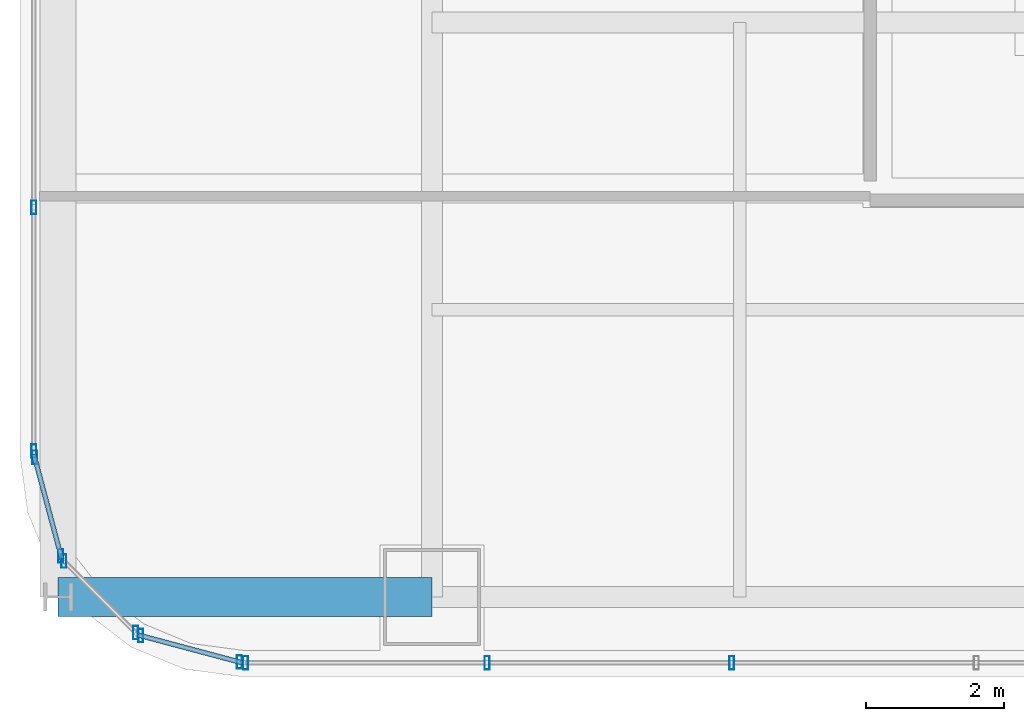
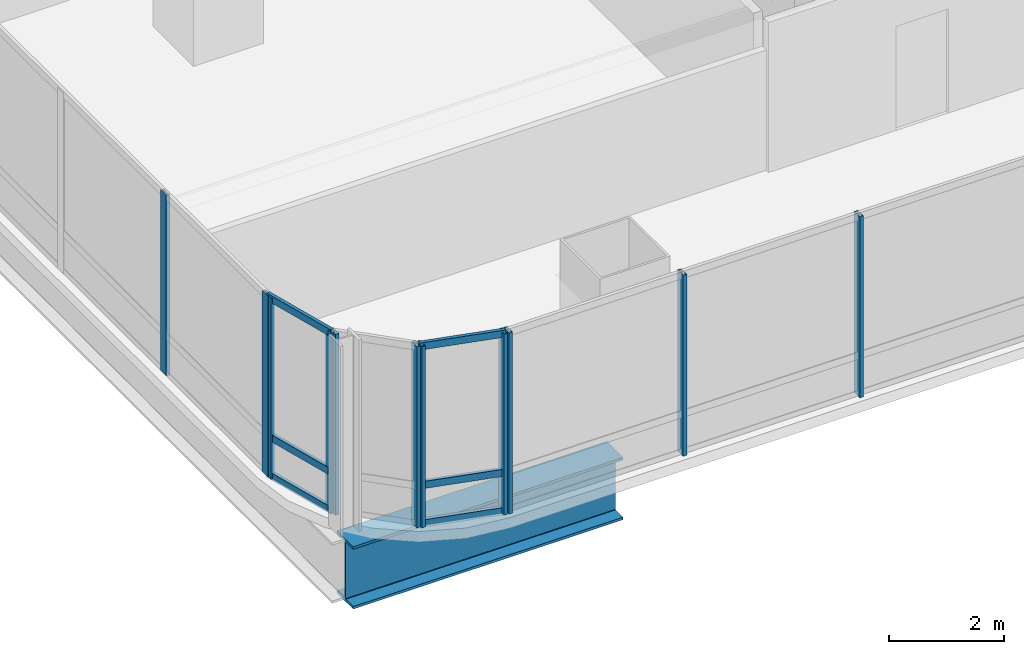
# One storey, part 2 of 37: 17 members, 1 beam, 5 elements without a shape of their own.
"""IFC4 building model written with IfcOpenShell, lengths in metres."""

from ifc_helpers import new_model, si_unit, direction, frame, origin, origin_2d, place, context, subcontext, project, spatial, hollow_rectangle, i_section, extrude, material, material_profile, profile_set, type_object, element, aggregate, save


model = new_model("IFC4")

# Units and contexts
model_context = context("Model", 3, precision=1e-05, world=origin(), true_north=direction((0.0, 1.0)))
body_context = subcontext(model_context, "Body", "Model", "MODEL_VIEW")
ifc_project = project(units=[si_unit("LENGTHUNIT", "METRE"), si_unit("AREAUNIT", "SQUARE_METRE"), si_unit("VOLUMEUNIT", "CUBIC_METRE"), si_unit("PLANEANGLEUNIT", "RADIAN"), si_unit("MASSUNIT", "GRAM", prefix="KILO")], contexts=[model_context])

# Site, building, storey
site_placement = place(None, origin())
site = spatial("IfcSite", under=ifc_project, at=site_placement, CompositionType="ELEMENT")
building_placement = place(site_placement, origin())
building = spatial("IfcBuilding", under=site, at=building_placement, Name="Punatoya Terracotta Tower", CompositionType="ELEMENT")
storey_placement = place(building_placement, frame((0.0, 0.0, 164.10009765625)))
storey = spatial("IfcBuildingStorey", under=building, at=storey_placement, Name="L38", CompositionType="ELEMENT", Elevation=164.10009765625)

# Beam
ifc_material_1 = material(Name="Steel S460", Category="steel")
ifc_material_profile_1 = material_profile(ifc_material_1, i_section(OverallWidth=0.56005859375, OverallDepth=1.320068359375, WebThickness=0.035888671875, FlangeThickness=0.054931640625, FilletRadius=0.01806640625, at=origin_2d()))
ifc_profile_set_1 = profile_set([ifc_material_profile_1], Name="Steel S460")
beam_type = type_object("IfcBeamType", Name="BM-TG-BLK", PredefinedType="BEAM", material=ifc_profile_set_1)
beam_placement = place(storey_placement, frame((-24.5, -17.5, -0.880126953125), z_axis=(1.0, 0.0, 0.0), x_axis=(0.0, 1.0, 0.0)))
element("IfcBeam", 1, at=beam_placement, inside=storey, type_object=beam_type, Name="BM-L38-CANT-W1", PredefinedType="BEAM", context=body_context, shape_type="SweptSolid", body=[
    extrude(i_section(OverallWidth=0.56005859375, OverallDepth=1.320068359375, WebThickness=0.035888671875, FlangeThickness=0.054931640625, FilletRadius=0.01806640625, at=origin_2d()), origin(), (0.0, 0.0, 1.0), 5.39990234375),
])

# Curtain wall, members
ifc_material_2 = material(Name="Aluminium 6063-T6 + Double Low-E Glass", Category="aluminium")
curtain_wall_type = type_object("IfcCurtainWallType", Name="CW-M2", PredefinedType="NOTDEFINED", material=ifc_material_2)
curtain_wall_1_placement = place(storey_placement, origin())
curtain_wall_1 = element("IfcCurtainWall", 2, at=curtain_wall_1_placement, inside=storey, type_object=curtain_wall_type, Name="L38 Curtain Wall CW-L38-S01-1", PredefinedType="NOTDEFINED")
ifc_material_3 = material(Name="Aluminium 6063-T6", Category="aluminium")
ifc_material_profile_2 = material_profile(ifc_material_3, hollow_rectangle(XDim=0.072021484375, YDim=0.195068359375, WallThickness=0.00439453125, at=origin_2d()))
ifc_profile_set_2 = profile_set([ifc_material_profile_2], Name="Aluminium 6063-T6")
member_type_1 = type_object("IfcMemberType", Name="CW-MUL-M2", PredefinedType="MULLION", material=ifc_profile_set_2)
member_1_placement = place(storey_placement, frame((-21.7919921875, -18.449951171875, 0.0), z_axis=(0.0, 0.0, 1.0), x_axis=(1.0, 0.0, 0.0)))
member_1 = element("IfcMember", 3, at=member_1_placement, type_object=member_type_1, Name="CW-L38-S01-1 Mullion 00", PredefinedType="MULLION", context=body_context, shape_type="SweptSolid", body=[
    extrude(hollow_rectangle(XDim=0.072021484375, YDim=0.195068359375, WallThickness=0.00439453125, at=origin_2d()), origin(), (0.0, 0.0, 1.0), 3.829833984375),
])
member_2_placement = place(storey_placement, frame((-18.302978515625, -18.449951171875, 0.0), z_axis=(0.0, 0.0, 1.0), x_axis=(1.0, 0.0, 0.0)))
member_2 = element("IfcMember", 4, at=member_2_placement, type_object=member_type_1, Name="CW-L38-S01-1 Mullion 01", PredefinedType="MULLION", context=body_context, shape_type="SweptSolid", body=[
    extrude(hollow_rectangle(XDim=0.072021484375, YDim=0.195068359375, WallThickness=0.00439453125, at=origin_2d()), origin(), (0.0, 0.0, 1.0), 3.829833984375),
])
member_3_placement = place(storey_placement, frame((-14.768798828125, -18.449951171875, 0.0), z_axis=(0.0, 0.0, 1.0), x_axis=(1.0, 0.0, 0.0)))
member_3 = element("IfcMember", 5, at=member_3_placement, type_object=member_type_1, Name="CW-L38-S01-1 Mullion 02", PredefinedType="MULLION", context=body_context, shape_type="SweptSolid", body=[
    extrude(hollow_rectangle(XDim=0.072021484375, YDim=0.195068359375, WallThickness=0.00439453125, at=origin_2d()), origin(), (0.0, 0.0, 1.0), 3.829833984375),
])
aggregate(curtain_wall_1, [member_1, member_2, member_3])

curtain_wall_2_placement = place(storey_placement, origin())
curtain_wall_2 = element("IfcCurtainWall", 6, at=curtain_wall_2_placement, inside=storey, type_object=curtain_wall_type, Name="L38 Curtain Wall CW-L38-W13-1", PredefinedType="NOTDEFINED")
member_4_placement = place(storey_placement, frame((-24.85009765625, -11.869384765625, 0.0), z_axis=(0.0, 0.0, 1.0), x_axis=(1.0, 0.0, 0.0)))
member_4 = element("IfcMember", 7, at=member_4_placement, type_object=member_type_1, Name="CW-L38-W13-1 Mullion 09", PredefinedType="MULLION", context=body_context, shape_type="SweptSolid", body=[
    extrude(hollow_rectangle(XDim=0.072021484375, YDim=0.195068359375, WallThickness=0.00439453125, at=origin_2d()), origin(), (0.0, 0.0, 1.0), 3.829833984375),
])
member_5_placement = place(storey_placement, frame((-24.85009765625, -15.391845703125, 0.0), z_axis=(0.0, 0.0, 1.0), x_axis=(1.0, 0.0, 0.0)))
member_5 = element("IfcMember", 8, at=member_5_placement, type_object=member_type_1, Name="CW-L38-W13-1 Mullion 10", PredefinedType="MULLION", context=body_context, shape_type="SweptSolid", body=[
    extrude(hollow_rectangle(XDim=0.072021484375, YDim=0.195068359375, WallThickness=0.00439453125, at=origin_2d()), origin(), (0.0, 0.0, 1.0), 3.829833984375),
])
aggregate(curtain_wall_2, [member_4, member_5])

curtain_wall_3_placement = place(storey_placement, origin())
curtain_wall_3 = element("IfcCurtainWall", 9, at=curtain_wall_3_placement, inside=storey, type_object=curtain_wall_type, Name="L38 Curtain Wall CW-L38-CRN14", PredefinedType="NOTDEFINED")
member_6_placement = place(storey_placement, frame((-24.83837890625, -15.48046875, 0.0), z_axis=(0.0, 0.0, 1.0), x_axis=(1.0, 0.0, 0.0)))
member_6 = element("IfcMember", 10, at=member_6_placement, type_object=member_type_1, Name="CW-L38-CRN14 Mullion 00", PredefinedType="MULLION", context=body_context, shape_type="SweptSolid", body=[
    extrude(hollow_rectangle(XDim=0.072021484375, YDim=0.195068359375, WallThickness=0.00439453125, at=origin_2d()), origin(), (0.0, 0.0, 1.0), 3.829833984375),
])
member_7_placement = place(storey_placement, frame((-24.458251953125, -16.905517578125, 0.0), z_axis=(0.0, 0.0, 1.0), x_axis=(1.0, 0.0, 0.0)))
member_7 = element("IfcMember", 11, at=member_7_placement, type_object=member_type_1, Name="CW-L38-CRN14 Mullion 01", PredefinedType="MULLION", context=body_context, shape_type="SweptSolid", body=[
    extrude(hollow_rectangle(XDim=0.072021484375, YDim=0.195068359375, WallThickness=0.00439453125, at=origin_2d()), origin(), (0.0, 0.0, 1.0), 3.829833984375),
])

curtain_wall_4_placement = place(storey_placement, origin())
curtain_wall_4 = element("IfcCurtainWall", 12, at=curtain_wall_4_placement, inside=storey, type_object=curtain_wall_type, Name="L38 Curtain Wall CW-L38-CRN15", PredefinedType="NOTDEFINED")
member_8_placement = place(storey_placement, frame((-24.414794921875, -16.98095703125, 0.0), z_axis=(0.0, 0.0, 1.0), x_axis=(1.0, 0.0, 0.0)))
member_8 = element("IfcMember", 13, at=member_8_placement, type_object=member_type_1, Name="CW-L38-CRN15 Mullion 00", PredefinedType="MULLION", context=body_context, shape_type="SweptSolid", body=[
    extrude(hollow_rectangle(XDim=0.072021484375, YDim=0.195068359375, WallThickness=0.00439453125, at=origin_2d()), origin(), (0.0, 0.0, 1.0), 3.829833984375),
])
member_9_placement = place(storey_placement, frame((-23.380859375, -18.014892578125, 0.0), z_axis=(0.0, 0.0, 1.0), x_axis=(1.0, 0.0, 0.0)))
member_9 = element("IfcMember", 14, at=member_9_placement, type_object=member_type_1, Name="CW-L38-CRN15 Mullion 01", PredefinedType="MULLION", context=body_context, shape_type="SweptSolid", body=[
    extrude(hollow_rectangle(XDim=0.072021484375, YDim=0.195068359375, WallThickness=0.00439453125, at=origin_2d()), origin(), (0.0, 0.0, 1.0), 3.829833984375),
])
aggregate(curtain_wall_4, [member_8, member_9])

curtain_wall_5_placement = place(storey_placement, origin())
curtain_wall_5 = element("IfcCurtainWall", 15, at=curtain_wall_5_placement, inside=storey, type_object=curtain_wall_type, Name="L38 Curtain Wall CW-L38-CRN16", PredefinedType="NOTDEFINED")
member_10_placement = place(storey_placement, frame((-23.3056640625, -18.05810546875, 0.0), z_axis=(0.0, 0.0, 1.0), x_axis=(1.0, 0.0, 0.0)))
member_10 = element("IfcMember", 16, at=member_10_placement, type_object=member_type_1, Name="CW-L38-CRN16 Mullion 00", PredefinedType="MULLION", context=body_context, shape_type="SweptSolid", body=[
    extrude(hollow_rectangle(XDim=0.072021484375, YDim=0.195068359375, WallThickness=0.00439453125, at=origin_2d()), origin(), (0.0, 0.0, 1.0), 3.829833984375),
])
member_11_placement = place(storey_placement, frame((-21.88037109375, -18.4384765625, 0.0), z_axis=(0.0, 0.0, 1.0), x_axis=(1.0, 0.0, 0.0)))
member_11 = element("IfcMember", 17, at=member_11_placement, type_object=member_type_1, Name="CW-L38-CRN16 Mullion 01", PredefinedType="MULLION", context=body_context, shape_type="SweptSolid", body=[
    extrude(hollow_rectangle(XDim=0.072021484375, YDim=0.195068359375, WallThickness=0.00439453125, at=origin_2d()), origin(), (0.0, 0.0, 1.0), 3.829833984375),
])

# Member
ifc_material_profile_3 = material_profile(ifc_material_3, hollow_rectangle(XDim=0.068115234375, YDim=0.14990234375, WallThickness=0.00390625, at=origin_2d()))
ifc_profile_set_3 = profile_set([ifc_material_profile_3], Name="Aluminium 6063-T6")
member_type_2 = type_object("IfcMemberType", Name="CW-TRN-TYP", PredefinedType="USERDEFINED", material=ifc_profile_set_3)
member_12_placement = place(storey_placement, frame((-24.85009765625, -15.43701171875, 0.039794921875), z_axis=(0.257847112249, -0.966185730957, 0.0), x_axis=(0.966185730957, 0.257847112249, 0.0)))
member_12 = element("IfcMember", 18, at=member_12_placement, type_object=member_type_2, Name="CW-L38-CRN14 Transom 1", ObjectType="TRANSOM", PredefinedType="USERDEFINED", context=body_context, shape_type="SweptSolid", body=[
    extrude(hollow_rectangle(XDim=0.068115234375, YDim=0.14990234375, WallThickness=0.00390625, at=origin_2d()), origin(), (0.0, 0.0, 1.0), 1.565185546875),
])

member_13_placement = place(storey_placement, frame((-24.85009765625, -15.43701171875, 0.849853515625), z_axis=(0.257847112249, -0.966185730957, 0.0), x_axis=(0.966185730957, 0.257847112249, 0.0)))
member_13 = element("IfcMember", 19, at=member_13_placement, type_object=member_type_2, Name="CW-L38-CRN14 Transom 2", ObjectType="TRANSOM", PredefinedType="USERDEFINED", context=body_context, shape_type="SweptSolid", body=[
    extrude(hollow_rectangle(XDim=0.068115234375, YDim=0.14990234375, WallThickness=0.00390625, at=origin_2d()), origin(), (0.0, 0.0, 1.0), 1.565185546875),
])

member_14_placement = place(storey_placement, frame((-24.85009765625, -15.43701171875, 3.789794921875), z_axis=(0.257847112249, -0.966185730957, 0.0), x_axis=(0.966185730957, 0.257847112249, 0.0)))
member_14 = element("IfcMember", 20, at=member_14_placement, type_object=member_type_2, Name="CW-L38-CRN14 Transom 3", ObjectType="TRANSOM", PredefinedType="USERDEFINED", context=body_context, shape_type="SweptSolid", body=[
    extrude(hollow_rectangle(XDim=0.068115234375, YDim=0.14990234375, WallThickness=0.00390625, at=origin_2d()), origin(), (0.0, 0.0, 1.0), 1.565185546875),
])

aggregate(curtain_wall_3, [member_6, member_7, member_12, member_13, member_14])

member_15_placement = place(storey_placement, frame((-23.34912109375, -18.046630859375, 0.039794921875), z_axis=(0.966224582397, -0.257701486942, 0.0), x_axis=(0.257701486942, 0.966224582397, 0.0)))
member_15 = element("IfcMember", 21, at=member_15_placement, type_object=member_type_2, Name="CW-L38-CRN16 Transom 1", ObjectType="TRANSOM", PredefinedType="USERDEFINED", context=body_context, shape_type="SweptSolid", body=[
    extrude(hollow_rectangle(XDim=0.068115234375, YDim=0.14990234375, WallThickness=0.00390625, at=origin_2d()), origin(), (0.0, 0.0, 1.0), 1.565185546875),
])

member_16_placement = place(storey_placement, frame((-23.34912109375, -18.046630859375, 0.849853515625), z_axis=(0.966224582397, -0.257701486942, 0.0), x_axis=(0.257701486942, 0.966224582397, 0.0)))
member_16 = element("IfcMember", 22, at=member_16_placement, type_object=member_type_2, Name="CW-L38-CRN16 Transom 2", ObjectType="TRANSOM", PredefinedType="USERDEFINED", context=body_context, shape_type="SweptSolid", body=[
    extrude(hollow_rectangle(XDim=0.068115234375, YDim=0.14990234375, WallThickness=0.00390625, at=origin_2d()), origin(), (0.0, 0.0, 1.0), 1.565185546875),
])

member_17_placement = place(storey_placement, frame((-23.34912109375, -18.046630859375, 3.789794921875), z_axis=(0.966224582397, -0.257701486942, 0.0), x_axis=(0.257701486942, 0.966224582397, 0.0)))
member_17 = element("IfcMember", 23, at=member_17_placement, type_object=member_type_2, Name="CW-L38-CRN16 Transom 3", ObjectType="TRANSOM", PredefinedType="USERDEFINED", context=body_context, shape_type="SweptSolid", body=[
    extrude(hollow_rectangle(XDim=0.068115234375, YDim=0.14990234375, WallThickness=0.00390625, at=origin_2d()), origin(), (0.0, 0.0, 1.0), 1.565185546875),
])

aggregate(curtain_wall_5, [member_10, member_11, member_15, member_16, member_17])

save(model, "model.ifc")
